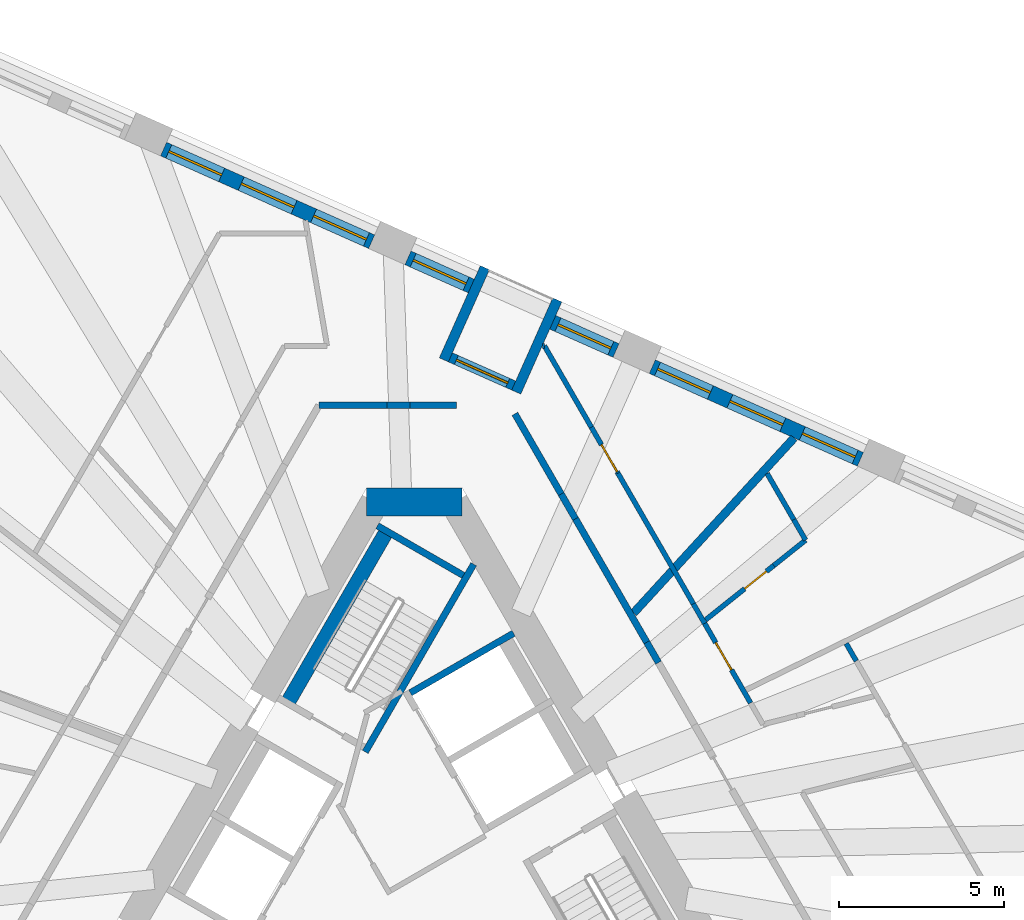
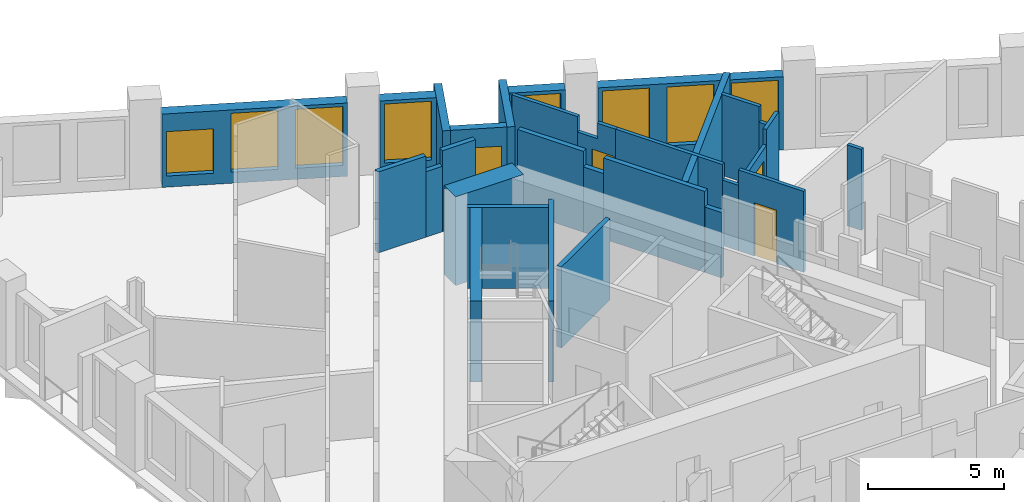
# One storey, part 8 of 14: 31 walls, 8 windows, 4 doors, 12 openings.
"""IFC4 building model written with IfcOpenShell, lengths in metres."""

from ifc_helpers import new_model, si_unit, direction, frame, frame_2d, origin, place, context, subcontext, project, spatial, polyline, rectangle, outline, extrude, material, layer, layer_set, type_object, element, fill, save


model = new_model("IFC4")

# Units and contexts
model_context = context("Model", 3, precision=1e-05, world=origin(), true_north=direction((0.0, 1.0)))
body_context = subcontext(model_context, "Body", "Model", "MODEL_VIEW")
ifc_project = project(units=[si_unit("LENGTHUNIT", "METRE"), si_unit("AREAUNIT", "SQUARE_METRE"), si_unit("VOLUMEUNIT", "CUBIC_METRE"), si_unit("PLANEANGLEUNIT", "RADIAN"), si_unit("MASSUNIT", "GRAM", prefix="KILO")], contexts=[model_context])

# Site, building, storey
site_placement = place(None, origin())
site = spatial("IfcSite", under=ifc_project, at=site_placement, CompositionType="ELEMENT")
building_placement = place(site_placement, origin())
building = spatial("IfcBuilding", under=site, at=building_placement, Name="Tramontana Tower", CompositionType="ELEMENT")
storey_placement = place(building_placement, frame((0.0, 0.0, 190.800048828125)))
storey = spatial("IfcBuildingStorey", under=building, at=storey_placement, Name="L44", CompositionType="ELEMENT", Elevation=190.800048828125)

# Walls
ifc_material_1 = material(Name="Concrete 70 MPa", Category="concrete")
ifc_layer_1 = layer(ifc_material_1, 0.85009765625)
ifc_layer_set_1 = layer_set([ifc_layer_1], Name="Core wall 850 70 MPa")
wall_type_1 = type_object("IfcWallType", Name="Core wall 850 70 MPa", PredefinedType="SHEAR", material=ifc_layer_set_1)
wall_1_placement = place(storey_placement, frame((1.443359375, 10.574951171875, 0.0), z_axis=(0.0, 0.0, 1.0), x_axis=(-1.0, 0.0, 0.0)))
element("IfcWall", 1, at=wall_1_placement, inside=storey, type_object=wall_type_1, Name="Core wall C0 L44", PredefinedType="SHEAR", context=body_context, shape_type="SweptSolid", body=[
    extrude(rectangle(XDim=2.88671875, YDim=0.85009765625, at=frame_2d((1.443359375, 0.0))), origin(), (0.0, 0.0, 1.0), 4.0),
])
ifc_material_2 = material(Name="Blockwork", Category="masonry")
ifc_layer_2 = layer(ifc_material_2, 0.199951171875)
ifc_layer_set_2 = layer_set([ifc_layer_2], Name="ENTRY WALL 200")
wall_type_2 = type_object("IfcWallType", Name="ENTRY WALL 200", PredefinedType="SOLIDWALL", material=ifc_layer_set_2)
wall_2_placement = place(storey_placement, frame((3.034912109375, 13.243408203125, 0.0), z_axis=(0.0, 0.0, 1.0), x_axis=(0.499976698542, -0.86603885647, 0.0)))
element("IfcWall", 2, at=wall_2_placement, inside=storey, type_object=wall_type_2, Name="Wall v42-ew0-0", PredefinedType="SOLIDWALL", context=body_context, shape_type="SweptSolid", body=[
    extrude(rectangle(XDim=2.798583984375, YDim=0.199951171875, at=frame_2d((1.3994140625, 0.0))), origin(), (0.0, 0.0, 1.0), 3.64990234375),
])
wall_3_placement = place(storey_placement, frame((4.43408203125, 10.81982421875, 0.0), z_axis=(0.0, 0.0, 1.0), x_axis=(0.500023708017, -0.866011715522, 0.0)))
element("IfcWall", 3, at=wall_3_placement, inside=storey, type_object=wall_type_2, Name="Wall v42-ew0-1", PredefinedType="SOLIDWALL", context=body_context, shape_type="SweptSolid", body=[
    extrude(rectangle(XDim=0.865234375, YDim=0.199951171875, at=frame_2d((0.4326171875, 0.0))), origin(), (0.0, 0.0, 1.0), 2.949951171875),
])
wall_4_placement = place(storey_placement, frame((4.86669921875, 10.070556640625, 0.0), z_axis=(0.0, 0.0, 1.0), x_axis=(0.499992344383, -0.866029823712, 0.0)))
element("IfcWall", 4, at=wall_4_placement, inside=storey, type_object=wall_type_2, Name="Wall v42-ew0-2", PredefinedType="SOLIDWALL", context=body_context, shape_type="SweptSolid", body=[
    extrude(rectangle(XDim=4.306640625, YDim=0.199951171875, at=frame_2d((2.1533203125, 0.0))), origin(), (0.0, 0.0, 1.0), 3.64990234375),
])
wall_5_placement = place(storey_placement, frame((7.02001953125, 6.3408203125, 0.0), z_axis=(0.0, 0.0, 1.0), x_axis=(0.50012879774, -0.865951029603, 0.0)))
element("IfcWall", 5, at=wall_5_placement, inside=storey, type_object=wall_type_2, Name="Wall v42-ew0-3", PredefinedType="SOLIDWALL", context=body_context, shape_type="SweptSolid", body=[
    extrude(rectangle(XDim=0.710693359375, YDim=0.199951171875, at=frame_2d((0.35546875, 0.0))), origin(), (0.0, 0.0, 1.0), 2.949951171875),
])
wall_6_placement = place(storey_placement, frame((-2.88671875, 13.5, 0.0), z_axis=(0.0, 0.0, 1.0), x_axis=(1.0, 0.0, 0.0)))
element("IfcWall", 6, at=wall_6_placement, inside=storey, type_object=wall_type_2, Name="Wall v42-ew5-0", PredefinedType="SOLIDWALL", context=body_context, shape_type="SweptSolid", body=[
    extrude(rectangle(XDim=2.057861328125, YDim=0.199951171875, at=frame_2d((1.02880859375, 0.0))), origin(), (0.0, 0.0, 1.0), 3.64990234375),
])
wall_7_placement = place(storey_placement, frame((-0.828857421875, 13.5, 0.0), z_axis=(0.0, 0.0, 1.0), x_axis=(1.0, 0.0, 0.0)))
element("IfcWall", 7, at=wall_7_placement, inside=storey, type_object=wall_type_2, Name="Wall v42-ew5-1", PredefinedType="SOLIDWALL", context=body_context, shape_type="SweptSolid", body=[
    extrude(rectangle(XDim=0.700439453125, YDim=0.199951171875, at=frame_2d((0.35009765625, 0.0))), origin(), (0.0, 0.0, 1.0), 2.949951171875),
])
wall_8_placement = place(storey_placement, frame((-0.12841796875, 13.5, 0.0), z_axis=(0.0, 0.0, 1.0), x_axis=(1.0, 0.0, 0.0)))
element("IfcWall", 8, at=wall_8_placement, inside=storey, type_object=wall_type_2, Name="Wall v42-ew5-2", PredefinedType="SOLIDWALL", context=body_context, shape_type="SweptSolid", body=[
    extrude(rectangle(XDim=1.39990234375, YDim=0.199951171875, at=frame_2d((0.699951171875, 0.0))), origin(), (0.0, 0.0, 1.0), 3.64990234375),
])

# Wall, openings, windows
ifc_material_3 = material(Name="Precast concrete 60 MPa", Category="concrete")
ifc_layer_3 = layer(ifc_material_3, 0.449951171875)
ifc_layer_set_3 = layer_set([ifc_layer_3], Name="Precast concrete 60 MPa, 450 mm")
wall_type_3 = type_object("IfcWallType", Name="EW1 Stone-faced precast wall 450", PredefinedType="SOLIDWALL", material=ifc_layer_set_3)
wall_9_placement = place(storey_placement, frame((13.475830078125, 11.8701171875, 0.0), z_axis=(0.0, 0.0, 1.0), x_axis=(-0.913543675585, 0.40674064562, 0.0)))
wall_9 = element("IfcWall", 9, at=wall_9_placement, inside=storey, type_object=wall_type_3, Name="External wall L44 face 2 bay 3", PredefinedType="SOLIDWALL", context=body_context, shape_type="SweptSolid", body=[
    extrude(rectangle(XDim=6.8828125, YDim=0.449951171875, at=frame_2d((3.44140625, 0.0))), origin(), (0.0, 0.0, 1.0), 3.300048828125),
])
opening_1_placement = place(wall_9_placement, frame((0.172119140625, 0.0, 0.5)))
opening_1 = element("IfcOpeningElement", 10, at=opening_1_placement, cuts=wall_9, Name="Opening M2", PredefinedType="OPENING", context=body_context, shape_type="SweptSolid", body=[
    extrude(rectangle(XDim=1.75, YDim=2.64990234375, at=frame_2d((0.875, 1.324951171875))), frame((0.0, 0.23486328125, 0.0), z_axis=(0.0, -1.0, 0.0), x_axis=(1.0, 0.0, 0.0)), (0.0, 0.0, 1.0), 0.469970703125),
])
opening_2_placement = place(wall_9_placement, frame((2.56640625, 0.0, 0.5)))
opening_2 = element("IfcOpeningElement", 11, at=opening_2_placement, cuts=wall_9, Name="Opening M2", PredefinedType="OPENING", context=body_context, shape_type="SweptSolid", body=[
    extrude(rectangle(XDim=1.75, YDim=2.64990234375, at=frame_2d((0.875, 1.324951171875))), frame((0.0, 0.23486328125, 0.0), z_axis=(0.0, -1.0, 0.0), x_axis=(1.0, 0.0, 0.0)), (0.0, 0.0, 1.0), 0.469970703125),
])
opening_3_placement = place(wall_9_placement, frame((4.960693359375, 0.0, 0.5)))
opening_3 = element("IfcOpeningElement", 12, at=opening_3_placement, cuts=wall_9, Name="Opening M2", PredefinedType="OPENING", context=body_context, shape_type="SweptSolid", body=[
    extrude(rectangle(XDim=1.75, YDim=2.64990234375, at=frame_2d((0.875, 1.324951171875))), frame((0.0, 0.23486328125, 0.0), z_axis=(0.0, -1.0, 0.0), x_axis=(1.0, 0.0, 0.0)), (0.0, 0.0, 1.0), 0.469970703125),
])
ifc_material_4 = material(Name="Aluminum frame, double glazing unit", Category="aluminium")
window_type_1 = type_object("IfcWindowType", Name="M2 Window 1.75 x 2.65", PartitioningType="SINGLE_PANEL", PredefinedType="WINDOW", material=ifc_material_4)
window_1_placement = place(opening_1_placement, origin())
window_1 = element("IfcWindow", 13, at=window_1_placement, inside=storey, type_object=window_type_1, Name="Window M2 L44 face 2 module 7", OverallHeight=2.64990234375, OverallWidth=1.75, PartitioningType="SINGLE_PANEL", PredefinedType="WINDOW", context=body_context, shape_type="SweptSolid", body=[
    extrude(rectangle(XDim=1.75, YDim=2.64990234375, at=frame_2d((0.875, 1.324951171875))), frame((0.0, 0.030029296875, 0.0), z_axis=(0.0, -1.0, 0.0), x_axis=(1.0, 0.0, 0.0)), (0.0, 0.0, 1.0), 0.06005859375),
])
fill(opening_1, window_1)
window_2_placement = place(opening_2_placement, origin())
window_2 = element("IfcWindow", 14, at=window_2_placement, inside=storey, type_object=window_type_1, Name="Window M2 L44 face 2 module 8", OverallHeight=2.64990234375, OverallWidth=1.75, PartitioningType="SINGLE_PANEL", PredefinedType="WINDOW", context=body_context, shape_type="SweptSolid", body=[
    extrude(rectangle(XDim=1.75, YDim=2.64990234375, at=frame_2d((0.875, 1.324951171875))), frame((0.0, 0.030029296875, 0.0), z_axis=(0.0, -1.0, 0.0), x_axis=(1.0, 0.0, 0.0)), (0.0, 0.0, 1.0), 0.06005859375),
])
fill(opening_2, window_2)
window_3_placement = place(opening_3_placement, origin())
window_3 = element("IfcWindow", 15, at=window_3_placement, inside=storey, type_object=window_type_1, Name="Window M2 L44 face 2 module 9", OverallHeight=2.64990234375, OverallWidth=1.75, PartitioningType="SINGLE_PANEL", PredefinedType="WINDOW", context=body_context, shape_type="SweptSolid", body=[
    extrude(rectangle(XDim=1.75, YDim=2.64990234375, at=frame_2d((0.875, 1.324951171875))), frame((0.0, 0.030029296875, 0.0), z_axis=(0.0, -1.0, 0.0), x_axis=(1.0, 0.0, 0.0)), (0.0, 0.0, 1.0), 0.06005859375),
])
fill(opening_3, window_3)

# Wall, opening, window
wall_10_placement = place(storey_placement, frame((6.091796875, 15.15771484375, 0.0), z_axis=(0.0, 0.0, 1.0), x_axis=(-0.913537312596, 0.406754936657, 0.0)))
wall_10 = element("IfcWall", 16, at=wall_10_placement, inside=storey, type_object=wall_type_3, Name="External wall L44 face 2 bay 4", PredefinedType="SOLIDWALL", context=body_context, shape_type="SweptSolid", body=[
    extrude(rectangle(XDim=2.09423828125, YDim=0.449951171875, at=frame_2d((1.047119140625, 0.0))), origin(), (0.0, 0.0, 1.0), 3.300048828125),
])
opening_4_placement = place(wall_10_placement, frame((0.172119140625, 0.0, 0.5)))
opening_4 = element("IfcOpeningElement", 17, at=opening_4_placement, cuts=wall_10, Name="Opening M2", PredefinedType="OPENING", context=body_context, shape_type="SweptSolid", body=[
    extrude(rectangle(XDim=1.75, YDim=2.64990234375, at=frame_2d((0.875, 1.324951171875))), frame((0.0, 0.23486328125, 0.0), z_axis=(0.0, -1.0, 0.0), x_axis=(1.0, 0.0, 0.0)), (0.0, 0.0, 1.0), 0.469970703125),
])
window_4_placement = place(opening_4_placement, origin())
window_4 = element("IfcWindow", 18, at=window_4_placement, inside=storey, type_object=window_type_1, Name="Window M2 L44 face 2 module 10", OverallHeight=2.64990234375, OverallWidth=1.75, PartitioningType="SINGLE_PANEL", PredefinedType="WINDOW", context=body_context, shape_type="SweptSolid", body=[
    extrude(rectangle(XDim=1.75, YDim=2.64990234375, at=frame_2d((0.875, 1.324951171875))), frame((0.0, 0.030029296875, 0.0), z_axis=(0.0, -1.0, 0.0), x_axis=(1.0, 0.0, 0.0)), (0.0, 0.0, 1.0), 0.06005859375),
])
fill(opening_4, window_4)

wall_11_placement = place(storey_placement, frame((1.71728515625, 17.10546875, 0.0), z_axis=(0.0, 0.0, 1.0), x_axis=(-0.913556597974, 0.40671162056, 0.0)))
wall_11 = element("IfcWall", 19, at=wall_11_placement, inside=storey, type_object=wall_type_3, Name="External wall L44 face 2 bay 4", PredefinedType="SOLIDWALL", context=body_context, shape_type="SweptSolid", body=[
    extrude(rectangle(XDim=2.094482421875, YDim=0.449951171875, at=frame_2d((1.04736328125, 0.0))), origin(), (0.0, 0.0, 1.0), 3.300048828125),
])
opening_5_placement = place(wall_11_placement, frame((0.172119140625, 0.0, 0.5)))
opening_5 = element("IfcOpeningElement", 20, at=opening_5_placement, cuts=wall_11, Name="Opening M2", PredefinedType="OPENING", context=body_context, shape_type="SweptSolid", body=[
    extrude(rectangle(XDim=1.75, YDim=2.64990234375, at=frame_2d((0.875, 1.324951171875))), frame((0.0, 0.23486328125, 0.0), z_axis=(0.0, -1.0, 0.0), x_axis=(1.0, 0.0, 0.0)), (0.0, 0.0, 1.0), 0.469970703125),
])
window_5_placement = place(opening_5_placement, origin())
window_5 = element("IfcWindow", 21, at=window_5_placement, inside=storey, type_object=window_type_1, Name="Window M2 L44 face 2 module 12", OverallHeight=2.64990234375, OverallWidth=1.75, PartitioningType="SINGLE_PANEL", PredefinedType="WINDOW", context=body_context, shape_type="SweptSolid", body=[
    extrude(rectangle(XDim=1.75, YDim=2.64990234375, at=frame_2d((0.875, 1.324951171875))), frame((0.0, 0.030029296875, 0.0), z_axis=(0.0, -1.0, 0.0), x_axis=(1.0, 0.0, 0.0)), (0.0, 0.0, 1.0), 0.06005859375),
])
fill(opening_5, window_5)

# Wall, openings, windows
wall_12_placement = place(storey_placement, frame((-1.292236328125, 18.4453125, 0.0), z_axis=(0.0, 0.0, 1.0), x_axis=(-0.913543675585, 0.40674064562, 0.0)))
wall_12 = element("IfcWall", 22, at=wall_12_placement, inside=storey, type_object=wall_type_3, Name="External wall L44 face 2 bay 5", PredefinedType="SOLIDWALL", context=body_context, shape_type="SweptSolid", body=[
    extrude(rectangle(XDim=6.8828125, YDim=0.449951171875, at=frame_2d((3.44140625, 0.0))), origin(), (0.0, 0.0, 1.0), 3.300048828125),
])
opening_6_placement = place(wall_12_placement, frame((0.172119140625, 0.0, 0.5)))
opening_6 = element("IfcOpeningElement", 23, at=opening_6_placement, cuts=wall_12, Name="Opening M2", PredefinedType="OPENING", context=body_context, shape_type="SweptSolid", body=[
    extrude(rectangle(XDim=1.75, YDim=2.64990234375, at=frame_2d((0.875, 1.324951171875))), frame((0.0, 0.23486328125, 0.0), z_axis=(0.0, -1.0, 0.0), x_axis=(1.0, 0.0, 0.0)), (0.0, 0.0, 1.0), 0.469970703125),
])
opening_7_placement = place(wall_12_placement, frame((2.56640625, 0.0, 0.5)))
opening_7 = element("IfcOpeningElement", 24, at=opening_7_placement, cuts=wall_12, Name="Opening M2", PredefinedType="OPENING", context=body_context, shape_type="SweptSolid", body=[
    extrude(rectangle(XDim=1.75, YDim=2.64990234375, at=frame_2d((0.875, 1.324951171875))), frame((0.0, 0.23486328125, 0.0), z_axis=(0.0, -1.0, 0.0), x_axis=(1.0, 0.0, 0.0)), (0.0, 0.0, 1.0), 0.469970703125),
])
opening_8_placement = place(wall_12_placement, frame((4.960693359375, 0.0, 0.5)))
opening_8 = element("IfcOpeningElement", 25, at=opening_8_placement, cuts=wall_12, Name="Opening M2L", PredefinedType="OPENING", context=body_context, shape_type="SweptSolid", body=[
    extrude(rectangle(XDim=1.75, YDim=2.0, at=frame_2d((0.875, 1.0))), frame((0.0, 0.23486328125, 0.0), z_axis=(0.0, -1.0, 0.0), x_axis=(1.0, 0.0, 0.0)), (0.0, 0.0, 1.0), 0.469970703125),
])
window_6_placement = place(opening_6_placement, origin())
window_6 = element("IfcWindow", 26, at=window_6_placement, inside=storey, type_object=window_type_1, Name="Window M2 L44 face 2 module 13", OverallHeight=2.64990234375, OverallWidth=1.75, PartitioningType="SINGLE_PANEL", PredefinedType="WINDOW", context=body_context, shape_type="SweptSolid", body=[
    extrude(rectangle(XDim=1.75, YDim=2.64990234375, at=frame_2d((0.875, 1.324951171875))), frame((0.0, 0.030029296875, 0.0), z_axis=(0.0, -1.0, 0.0), x_axis=(1.0, 0.0, 0.0)), (0.0, 0.0, 1.0), 0.06005859375),
])
fill(opening_6, window_6)
window_7_placement = place(opening_7_placement, origin())
window_7 = element("IfcWindow", 27, at=window_7_placement, inside=storey, type_object=window_type_1, Name="Window M2 L44 face 2 module 14", OverallHeight=2.64990234375, OverallWidth=1.75, PartitioningType="SINGLE_PANEL", PredefinedType="WINDOW", context=body_context, shape_type="SweptSolid", body=[
    extrude(rectangle(XDim=1.75, YDim=2.64990234375, at=frame_2d((0.875, 1.324951171875))), frame((0.0, 0.030029296875, 0.0), z_axis=(0.0, -1.0, 0.0), x_axis=(1.0, 0.0, 0.0)), (0.0, 0.0, 1.0), 0.06005859375),
])
fill(opening_7, window_7)
ifc_material_5 = material(Name="Aluminum frame, double glazing unit", Category="aluminium")
window_type_2 = type_object("IfcWindowType", Name="M2L Window 1.75 x 2", PartitioningType="SINGLE_PANEL", PredefinedType="WINDOW", material=ifc_material_5)
window_8_placement = place(opening_8_placement, origin())
window_8 = element("IfcWindow", 28, at=window_8_placement, inside=storey, type_object=window_type_2, Name="Window M2L L44 face 2 module 15", OverallHeight=2.0, OverallWidth=1.75, PartitioningType="SINGLE_PANEL", PredefinedType="WINDOW", context=body_context, shape_type="SweptSolid", body=[
    extrude(rectangle(XDim=1.75, YDim=2.0, at=frame_2d((0.875, 1.0))), frame((0.0, 0.030029296875, 0.0), z_axis=(0.0, -1.0, 0.0), x_axis=(1.0, 0.0, 0.0)), (0.0, 0.0, 1.0), 0.06005859375),
])
fill(opening_8, window_8)

# Wall, opening, door
ifc_material_6 = material(Name="Precast concrete 60 MPa", Category="concrete")
ifc_layer_4 = layer(ifc_material_6, 0.300048828125)
ifc_layer_set_4 = layer_set([ifc_layer_4], Name="LW1 Stone-faced loggia wall 300")
wall_type_4 = type_object("IfcWallType", Name="LW1 Stone-faced loggia wall 300", PredefinedType="SOLIDWALL", material=ifc_layer_set_4)
wall_13_placement = place(storey_placement, frame((2.99951171875, 14.098876953125, 0.0), z_axis=(0.0, 0.0, 1.0), x_axis=(-0.913537312596, 0.406754936657, 0.0)))
wall_13 = element("IfcWall", 29, at=wall_13_placement, inside=storey, type_object=wall_type_4, Name="Loggia wall L44 G4S2.10", PredefinedType="SOLIDWALL", context=body_context, shape_type="SweptSolid", body=[
    extrude(rectangle(XDim=2.09423828125, YDim=0.300048828125, at=frame_2d((1.047119140625, 0.0))), origin(), (0.0, 0.0, 1.0), 3.300048828125),
])
opening_9_placement = place(wall_13_placement, frame((0.197265625, 0.0, 0.0)))
opening_9 = element("IfcOpeningElement", 30, at=opening_9_placement, cuts=wall_13, Name="Opening BD-4S2-10", PredefinedType="OPENING", context=body_context, shape_type="SweptSolid", body=[
    extrude(rectangle(XDim=1.699951171875, YDim=2.449951171875, at=frame_2d((0.85009765625, 1.22509765625))), frame((0.0, 0.159912109375, 0.0), z_axis=(0.0, -1.0, 0.0), x_axis=(1.0, 0.0, 0.0)), (0.0, 0.0, 1.0), 0.320068359375),
])
ifc_material_7 = material(Name="Aluminum frame, double glazing unit", Category="aluminium")
door_type_1 = type_object("IfcDoorType", Name="BD2 Sliding door 1.7 x 2.45", OperationType="SLIDING_TO_LEFT", PredefinedType="DOOR", material=ifc_material_7)
door_1_placement = place(opening_9_placement, origin())
door_1 = element("IfcDoor", 31, at=door_1_placement, inside=storey, type_object=door_type_1, Name="Loggia door L44 G4S2.10", OperationType="SLIDING_TO_LEFT", OverallHeight=2.449951171875, OverallWidth=1.699951171875, PredefinedType="DOOR", context=body_context, shape_type="SweptSolid", body=[
    extrude(rectangle(XDim=1.699951171875, YDim=2.449951171875, at=frame_2d((0.85009765625, 1.22509765625))), frame((0.0, 0.02490234375, 0.0), z_axis=(0.0, -1.0, 0.0), x_axis=(1.0, 0.0, 0.0)), (0.0, 0.0, 1.0), 0.050048828125),
])
fill(opening_9, door_1)

# Walls
wall_14_placement = place(storey_placement, frame((4.316162109375, 16.687255859375, 0.0), z_axis=(0.0, 0.0, 1.0), x_axis=(-0.406710256677, -0.913557205168, 0.0)))
element("IfcWall", 32, at=wall_14_placement, inside=storey, type_object=wall_type_4, Name="Loggia return L44 G4S2.10a", PredefinedType="SOLIDWALL", context=body_context, shape_type="SweptSolid", body=[
    extrude(rectangle(XDim=3.050048828125, YDim=0.300048828125, at=frame_2d((1.52490234375, 0.0))), origin(), (0.0, 0.0, 1.0), 3.300048828125),
])
wall_15_placement = place(storey_placement, frame((2.12890625, 17.660888671875, 0.0), z_axis=(0.0, 0.0, 1.0), x_axis=(-0.406806804169, -0.913514216683, 0.0)))
element("IfcWall", 33, at=wall_15_placement, inside=storey, type_object=wall_type_4, Name="Loggia return L44 G4S2.10b", PredefinedType="SOLIDWALL", context=body_context, shape_type="SweptSolid", body=[
    extrude(rectangle(XDim=3.0498046875, YDim=0.300048828125, at=frame_2d((1.52490234375, 0.0))), origin(), (0.0, 0.0, 1.0), 3.300048828125),
])
ifc_material_8 = material(Name="Gypsum board partition")
ifc_layer_5 = layer(ifc_material_8, 0.14990234375)
ifc_layer_set_5 = layer_set([ifc_layer_5], Name="PARTITION 150")
wall_type_5 = type_object("IfcWallType", Name="PARTITION 150", PredefinedType="PARTITIONING", material=ifc_layer_set_5)
wall_16_placement = place(storey_placement, frame((3.86279296875, 15.300048828125, 0.0), z_axis=(0.0, 0.0, 1.0), x_axis=(1.0, 0.0, 0.0)))
element("IfcWall", 34, at=wall_16_placement, inside=storey, type_object=wall_type_5, Name="Wall v42-pw25", PredefinedType="PARTITIONING", context=body_context, shape_type="SweptSolid", body=[
    extrude(rectangle(XDim=0.063232421875, YDim=0.14990234375, at=frame_2d((0.03173828125, 0.0))), origin(), (0.0, 0.0, 1.0), 3.64990234375),
])
wall_17_placement = place(storey_placement, frame((3.926025390625, 15.300048828125, 0.0), z_axis=(0.0, 0.0, 1.0), x_axis=(0.50001992892, -0.866013897511, 0.0)))
element("IfcWall", 35, at=wall_17_placement, inside=storey, type_object=wall_type_5, Name="Wall v42-pw26-0", PredefinedType="PARTITIONING", context=body_context, shape_type="SweptSolid", body=[
    extrude(rectangle(XDim=2.841796875, YDim=0.14990234375, at=frame_2d((1.4208984375, 0.0))), origin(), (0.0, 0.0, 1.0), 3.64990234375),
])

# Wall, opening, door
wall_18_placement = place(storey_placement, frame((5.346923828125, 12.839111328125, 0.0), z_axis=(0.0, 0.0, 1.0), x_axis=(0.499981246758, -0.866036230703, 0.0)))
wall_18 = element("IfcWall", 36, at=wall_18_placement, inside=storey, type_object=wall_type_5, Name="Wall v42-pw26-1", PredefinedType="PARTITIONING", context=body_context, shape_type="SweptSolid", body=[
    extrude(outline(polyline([(0.0, 0.0), (1.60595703125, 0.0), (1.60595703125, 3.64990234375), (0.834228515625, 3.64990234375), (0.834228515625, 2.949951171875), (0.0, 2.949951171875), (0.0, 0.0)])), frame((0.0, 0.074951171875, 0.0), z_axis=(0.0, -1.0, 0.0), x_axis=(1.0, 0.0, 0.0)), (0.0, 0.0, 1.0), 0.14990234375),
])
opening_10_placement = place(wall_18_placement, frame((0.60595703125, 0.0, 0.0)))
opening_10 = element("IfcOpeningElement", 37, at=opening_10_placement, cuts=wall_18, Name="Opening B4C-03", PredefinedType="OPENING", context=body_context, shape_type="SweptSolid", body=[
    extrude(rectangle(XDim=0.949951171875, YDim=2.39990234375, at=frame_2d((0.47509765625, 1.199951171875))), frame((0.0, 0.0849609375, 0.0), z_axis=(0.0, -1.0, 0.0), x_axis=(1.0, 0.0, 0.0)), (0.0, 0.0, 1.0), 0.169921875),
])
ifc_material_9 = material(Name="Painted timber", Category="wood")
door_type_2 = type_object("IfcDoorType", Name="DOOR ROOM 950", OperationType="SINGLE_SWING_LEFT", PredefinedType="DOOR", material=ifc_material_9)
door_2_placement = place(opening_10_placement, origin())
door_2 = element("IfcDoor", 38, at=door_2_placement, inside=storey, type_object=door_type_2, Name="Door B4C-03", OperationType="SINGLE_SWING_LEFT", OverallHeight=2.39990234375, OverallWidth=0.949951171875, PredefinedType="DOOR", context=body_context, shape_type="SweptSolid", body=[
    extrude(rectangle(XDim=0.949951171875, YDim=2.39990234375, at=frame_2d((0.47509765625, 1.199951171875))), frame((0.0, 0.02490234375, 0.0), z_axis=(0.0, -1.0, 0.0), x_axis=(1.0, 0.0, 0.0)), (0.0, 0.0, 1.0), 0.050048828125),
])
fill(opening_10, door_2)

# Walls
wall_19_placement = place(storey_placement, frame((6.14990234375, 11.4482421875, 0.0), z_axis=(0.0, 0.0, 1.0), x_axis=(0.499973025134, -0.86604097717, 0.0)))
element("IfcWall", 39, at=wall_19_placement, inside=storey, type_object=wall_type_5, Name="Wall v42-pw26-2", PredefinedType="PARTITIONING", context=body_context, shape_type="SweptSolid", body=[
    extrude(rectangle(XDim=4.554443359375, YDim=0.14990234375, at=frame_2d((2.27734375, 0.0))), origin(), (0.0, 0.0, 1.0), 3.64990234375),
])
wall_20_placement = place(storey_placement, frame((8.427001953125, 7.50390625, 0.0), z_axis=(0.0, 0.0, 1.0), x_axis=(0.50012328804, -0.865954211699, 0.0)))
element("IfcWall", 40, at=wall_20_placement, inside=storey, type_object=wall_type_5, Name="Wall v42-pw26-3", PredefinedType="PARTITIONING", context=body_context, shape_type="SweptSolid", body=[
    extrude(rectangle(XDim=0.685302734375, YDim=0.14990234375, at=frame_2d((0.3427734375, 0.0))), origin(), (0.0, 0.0, 1.0), 2.949951171875),
])

# Wall, opening, door
wall_21_placement = place(storey_placement, frame((8.769775390625, 6.910400390625, 0.0), z_axis=(0.0, 0.0, 1.0), x_axis=(0.50000932403, -0.866020020486, 0.0)))
wall_21 = element("IfcWall", 41, at=wall_21_placement, inside=storey, type_object=wall_type_5, Name="Wall v42-pw26-4", PredefinedType="PARTITIONING", context=body_context, shape_type="SweptSolid", body=[
    extrude(rectangle(XDim=2.77490234375, YDim=0.14990234375, at=frame_2d((1.387451171875, 0.0))), origin(), (0.0, 0.0, 1.0), 3.64990234375),
])
opening_11_placement = place(wall_21_placement, frame((0.669921875, 0.0, 0.0)))
opening_11 = element("IfcOpeningElement", 42, at=opening_11_placement, cuts=wall_21, Name="Opening B4C-16", PredefinedType="OPENING", context=body_context, shape_type="SweptSolid", body=[
    extrude(rectangle(XDim=0.949951171875, YDim=2.39990234375, at=frame_2d((0.47509765625, 1.199951171875))), frame((0.0, 0.0849609375, 0.0), z_axis=(0.0, -1.0, 0.0), x_axis=(1.0, 0.0, 0.0)), (0.0, 0.0, 1.0), 0.169921875),
])
door_3_placement = place(opening_11_placement, origin())
door_3 = element("IfcDoor", 43, at=door_3_placement, inside=storey, type_object=door_type_2, Name="Door B4C-16", OperationType="SINGLE_SWING_RIGHT", OverallHeight=2.39990234375, OverallWidth=0.949951171875, PredefinedType="DOOR", context=body_context, shape_type="SweptSolid", body=[
    extrude(rectangle(XDim=0.949951171875, YDim=2.39990234375, at=frame_2d((0.47509765625, 1.199951171875))), frame((0.0, 0.02490234375, 0.0), z_axis=(0.0, -1.0, 0.0), x_axis=(1.0, 0.0, 0.0)), (0.0, 0.0, 1.0), 0.050048828125),
])
fill(opening_11, door_3)

# Walls
wall_22_placement = place(storey_placement, frame((10.656494140625, 11.4423828125, 0.0), z_axis=(0.0, 0.0, 1.0), x_axis=(0.500067972854, -0.865986156082, 0.0)))
element("IfcWall", 44, at=wall_22_placement, inside=storey, type_object=wall_type_5, Name="Wall v42-pw30-0", PredefinedType="PARTITIONING", context=body_context, shape_type="SweptSolid", body=[
    extrude(rectangle(XDim=1.610595703125, YDim=0.14990234375, at=frame_2d((0.80517578125, 0.0))), origin(), (0.0, 0.0, 1.0), 3.64990234375),
])
wall_23_placement = place(storey_placement, frame((11.4619140625, 10.047607421875, 0.0), z_axis=(0.0, 0.0, 1.0), x_axis=(0.499771673925, -0.866157187779, 0.0)))
element("IfcWall", 45, at=wall_23_placement, inside=storey, type_object=wall_type_5, Name="Wall v42-pw30-1", PredefinedType="PARTITIONING", context=body_context, shape_type="SweptSolid", body=[
    extrude(rectangle(XDim=0.715576171875, YDim=0.14990234375, at=frame_2d((0.35791015625, 0.0))), origin(), (0.0, 0.0, 1.0), 2.949951171875),
])
wall_24_placement = place(storey_placement, frame((11.819580078125, 9.427734375, 0.0), z_axis=(0.0, 0.0, 1.0), x_axis=(-0.781779431306, -0.623555066363, 0.0)))
element("IfcWall", 46, at=wall_24_placement, inside=storey, type_object=wall_type_5, Name="Wall v42-pw35-0", PredefinedType="PARTITIONING", context=body_context, shape_type="SweptSolid", body=[
    extrude(rectangle(XDim=1.228271484375, YDim=0.14990234375, at=frame_2d((0.6142578125, 0.0))), origin(), (0.0, 0.0, 1.0), 3.64990234375),
])

# Wall, opening, door
wall_25_placement = place(storey_placement, frame((8.795654296875, 7.015625, 0.0), z_axis=(0.0, 0.0, 1.0), x_axis=(0.781743230662, 0.623600450059, 0.0)))
wall_25 = element("IfcWall", 47, at=wall_25_placement, inside=storey, type_object=wall_type_5, Name="Wall v42-pw35-1", PredefinedType="PARTITIONING", context=body_context, shape_type="SweptSolid", body=[
    extrude(rectangle(XDim=2.639892578125, YDim=0.14990234375, at=frame_2d((1.31982421875, 0.0))), origin(), (0.0, 0.0, 1.0), 2.949951171875),
])
opening_12_placement = place(wall_25_placement, frame((1.509033203125, 0.0, 0.0)))
opening_12 = element("IfcOpeningElement", 48, at=opening_12_placement, cuts=wall_25, Name="Opening B4C-17", PredefinedType="OPENING", context=body_context, shape_type="SweptSolid", body=[
    extrude(rectangle(XDim=0.85009765625, YDim=2.39990234375, at=frame_2d((0.425048828125, 1.199951171875))), frame((0.0, 0.0849609375, 0.0), z_axis=(0.0, -1.0, 0.0), x_axis=(1.0, 0.0, 0.0)), (0.0, 0.0, 1.0), 0.169921875),
])
ifc_material_10 = material(Name="Painted timber", Category="wood")
door_type_3 = type_object("IfcDoorType", Name="DOOR BATH 850", OperationType="SINGLE_SWING_LEFT", PredefinedType="DOOR", material=ifc_material_10)
door_4_placement = place(opening_12_placement, origin())
door_4 = element("IfcDoor", 49, at=door_4_placement, inside=storey, type_object=door_type_3, Name="Door B4C-17", OperationType="SINGLE_SWING_LEFT", OverallHeight=2.39990234375, OverallWidth=0.85009765625, PredefinedType="DOOR", context=body_context, shape_type="SweptSolid", body=[
    extrude(rectangle(XDim=0.85009765625, YDim=2.39990234375, at=frame_2d((0.425048828125, 1.199951171875))), frame((0.0, 0.02490234375, 0.0), z_axis=(0.0, -1.0, 0.0), x_axis=(1.0, 0.0, 0.0)), (0.0, 0.0, 1.0), 0.050048828125),
])
fill(opening_12, door_4)

# Walls
wall_26_placement = place(storey_placement, frame((13.046875, 6.30224609375, 0.0), z_axis=(0.0, 0.0, 1.0), x_axis=(0.500116839517, -0.865957935948, 0.0)))
element("IfcWall", 50, at=wall_26_placement, inside=storey, type_object=wall_type_5, Name="Wall v42-pw37-0", PredefinedType="PARTITIONING", context=body_context, shape_type="SweptSolid", body=[
    extrude(rectangle(XDim=0.607177734375, YDim=0.14990234375, at=frame_2d((0.3037109375, 0.0))), origin(), (0.0, 0.0, 1.0), 3.64990234375),
])
ifc_material_11 = material(Name="Blockwork", Category="masonry")
ifc_layer_6 = layer(ifc_material_11, 0.25)
ifc_layer_set_6 = layer_set([ifc_layer_6], Name="PARTY WALL 250")
wall_type_6 = type_object("IfcWallType", Name="PARTY WALL 250", PredefinedType="SOLIDWALL", material=ifc_layer_set_6)
wall_27_placement = place(storey_placement, frame((11.47119140625, 12.516357421875, 0.0), z_axis=(0.0, 0.0, 1.0), x_axis=(-0.675656823375, -0.737216289176, 0.0)))
element("IfcWall", 51, at=wall_27_placement, inside=storey, type_object=wall_type_6, Name="Wall v42-pw33", PredefinedType="SOLIDWALL", context=body_context, shape_type="SweptSolid", body=[
    extrude(rectangle(XDim=7.17431640625, YDim=0.25, at=frame_2d((3.587158203125, 0.0))), origin(), (0.0, 0.0, 1.0), 3.64990234375),
])
ifc_material_12 = material(Name="Concrete 70 MPa", Category="concrete")
ifc_layer_7 = layer(ifc_material_12, 0.449951171875)
ifc_layer_set_7 = layer_set([ifc_layer_7], Name="Concrete 70 MPa, 450 mm")
wall_type_7 = type_object("IfcWallType", Name="RC SHAFT BACK WALL 450", PredefinedType="SOLIDWALL", material=ifc_layer_set_7)
wall_28_placement = place(storey_placement, frame((-0.7880859375, 9.784912109375, 0.0), z_axis=(0.0, 0.0, 1.0), x_axis=(-0.500009909098, -0.866019682689, 0.0)))
element("IfcWall", 52, at=wall_28_placement, inside=storey, type_object=wall_type_7, Name="Wall st1-back", PredefinedType="SOLIDWALL", context=body_context, shape_type="SweptSolid", body=[
    extrude(rectangle(XDim=6.199951171875, YDim=0.449951171875, at=frame_2d((3.10009765625, 0.0))), origin(), (0.0, 0.0, 1.0), 3.64990234375),
])
ifc_material_13 = material(Name="Concrete 70 MPa", Category="concrete")
ifc_layer_8 = layer(ifc_material_13, 0.199951171875)
ifc_layer_set_8 = layer_set([ifc_layer_8], Name="Concrete 70 MPa, 200 mm")
wall_type_8 = type_object("IfcWallType", Name="RC STAIR AND SHAFT WALL 200", PredefinedType="SOLIDWALL", material=ifc_layer_set_8)
wall_29_placement = place(storey_placement, frame((1.789794921875, 8.699951171875, 0.0), z_axis=(0.0, 0.0, 1.0), x_axis=(-0.499999959354, -0.866025427251, 0.0)))
element("IfcWall", 53, at=wall_29_placement, inside=storey, type_object=wall_type_8, Name="Wall st1-front", PredefinedType="SOLIDWALL", context=body_context, shape_type="SweptSolid", body=[
    extrude(rectangle(XDim=6.54931640625, YDim=0.199951171875, at=frame_2d((3.274658203125, 0.0))), origin(), (0.0, 0.0, 1.0), 3.64990234375),
])
wall_30_placement = place(storey_placement, frame((1.478515625, 8.36083984375, 0.0), z_axis=(0.0, 0.0, 1.0), x_axis=(-0.866031096941, 0.499990139034, 0.0)))
element("IfcWall", 54, at=wall_30_placement, inside=storey, type_object=wall_type_8, Name="Wall st1-far", PredefinedType="SOLIDWALL", context=body_context, shape_type="SweptSolid", body=[
    extrude(rectangle(XDim=3.0, YDim=0.199951171875, at=frame_2d((1.5, 0.0))), origin(), (0.0, 0.0, 1.0), 3.64990234375),
])
wall_31_placement = place(storey_placement, frame((-0.123046875, 4.813232421875, 0.0), z_axis=(0.0, 0.0, 1.0), x_axis=(0.866018442252, 0.500012057535, 0.0)))
element("IfcWall", 55, at=wall_31_placement, inside=storey, type_object=wall_type_8, Name="Wall row2-side2", PredefinedType="SOLIDWALL", context=body_context, shape_type="SweptSolid", body=[
    extrude(rectangle(XDim=3.60009765625, YDim=0.199951171875, at=frame_2d((1.800048828125, 0.0))), origin(), (0.0, 0.0, 1.0), 3.64990234375),
])

save(model, "model.ifc")
